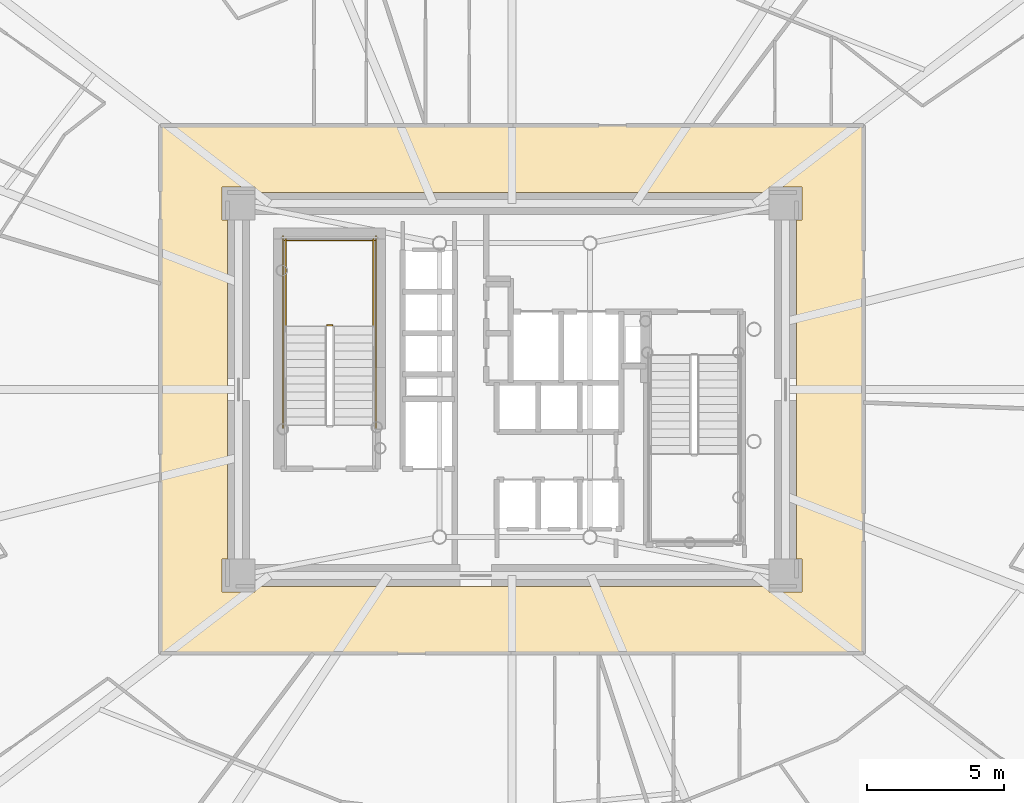
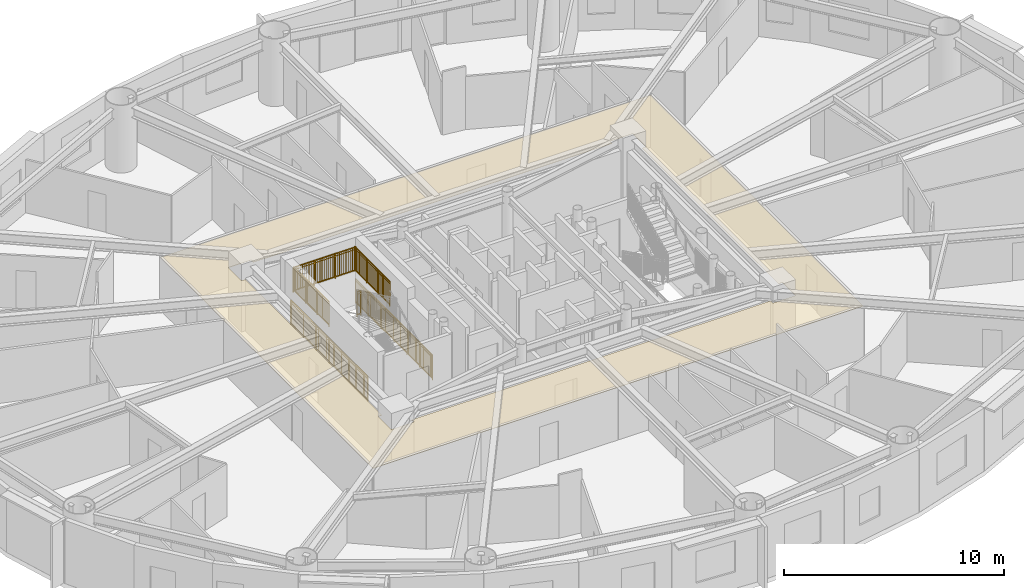
# One storey, part 13 of 16: 6 railings, 1 covering.
"""IFC4 building model written with IfcOpenShell, lengths in metres."""

from ifc_helpers import new_model, si_unit, direction, frame, origin, origin_2d, place, context, subcontext, project, spatial, polyline, rectangle, outline, extrude, source, transform, mapped, material, layer, layer_set, type_object, element, save


model = new_model("IFC4")

# Units and contexts
model_context = context("Model", 3, precision=1e-05, world=origin(), true_north=direction((0.0, 1.0)))
body_context = subcontext(model_context, "Body", "Model", "MODEL_VIEW")
ifc_project = project(units=[si_unit("LENGTHUNIT", "METRE"), si_unit("AREAUNIT", "SQUARE_METRE"), si_unit("VOLUMEUNIT", "CUBIC_METRE"), si_unit("PLANEANGLEUNIT", "RADIAN"), si_unit("MASSUNIT", "GRAM", prefix="KILO")], contexts=[model_context])

# Site, building, storey
site_placement = place(None, origin())
site = spatial("IfcSite", under=ifc_project, at=site_placement, CompositionType="ELEMENT")
building_placement = place(site_placement, origin())
building = spatial("IfcBuilding", under=site, at=building_placement, Name="Linh Dai School and Residence Tower", CompositionType="ELEMENT")
storey_placement = place(building_placement, frame((0.0, 0.0, 108.449951171875)))
storey = spatial("IfcBuildingStorey", under=building, at=storey_placement, Name="L25", CompositionType="ELEMENT", Elevation=108.449951171875)

# Covering
ifc_material_1 = material(Name="Mineral Fibre Acoustic Suspended Ceiling", Category="masonry")
ifc_layer = layer(ifc_material_1, 0.02001953125)
ifc_layer_set = layer_set([ifc_layer], Name="Mineral Fibre Acoustic Suspended Ceiling")
covering_type = type_object("IfcCoveringType", Name="COV-CEIL-AC-20", PredefinedType="CEILING", material=ifc_layer_set)
covering_placement = place(storey_placement, frame((0.0, 0.0, 2.85009765625)))
element("IfcCovering", 1, at=covering_placement, inside=storey, type_object=covering_type, Name="L25 Residential Floor Corridor Suspended Ceiling", PredefinedType="CEILING", context=body_context, shape_type="SweptSolid", body=[
    extrude(outline(polyline([(48.85009765625, 36.64990234375), (48.85009765625, 17.35009765625), (23.14990234375, 17.35009765625), (23.14990234375, 36.64990234375), (48.85009765625, 36.64990234375)]), holes=[polyline([(26.60009765625, 34.199951171875), (26.60009765625, 34.39990234375), (25.39990234375, 34.39990234375), (25.39990234375, 33.199951171875), (25.60009765625, 33.199951171875), (25.60009765625, 20.800048828125), (25.39990234375, 20.800048828125), (25.39990234375, 19.60009765625), (26.60009765625, 19.60009765625), (26.60009765625, 19.800048828125), (45.39990234375, 19.800048828125), (45.39990234375, 19.60009765625), (46.60009765625, 19.60009765625), (46.60009765625, 20.800048828125), (46.39990234375, 20.800048828125), (46.39990234375, 33.199951171875), (46.60009765625, 33.199951171875), (46.60009765625, 34.39990234375), (45.39990234375, 34.39990234375), (45.39990234375, 34.199951171875), (26.60009765625, 34.199951171875)])]), origin(), (0.0, 0.0, 1.0), 0.02001953125),
])

# Railings
ifc_material_2 = material(Name="Structural Steel S355JR", Category="steel")
railing_type = type_object("IfcRailingType", Name="RL-ST-GUARD-1400", PredefinedType="GUARDRAIL", material=ifc_material_2)
shared_shape_1 = source(origin(), body_context, "Body", "SweptSolid", [
    extrude(rectangle(XDim=0.048095703125, YDim=0.048095703125, at=origin_2d()), frame((0.0, 0.0, 1.3759765625), z_axis=(-1.0, 0.0, 0.0), x_axis=(0.0, -1.0, 0.0)), (0.0, 0.0, 1.0), 0.199951171875),
    extrude(rectangle(XDim=0.048095703125, YDim=0.048095703125, at=origin_2d()), frame((0.0, 0.0, 0.10009765625), z_axis=(-1.0, 0.0, 0.0), x_axis=(0.0, -1.0, 0.0)), (0.0, 0.0, 1.0), 0.199951171875),
    extrude(rectangle(XDim=0.030029296875, YDim=0.030029296875, at=origin_2d()), frame((0.0, 0.0, 1.239990234375), z_axis=(-1.0, 0.0, 0.0), x_axis=(0.0, -1.0, 0.0)), (0.0, 0.0, 1.0), 0.199951171875),
    extrude(rectangle(XDim=0.0419921875, YDim=0.0419921875, at=origin_2d()), origin(), (0.0, 0.0, 1.0), 1.3759765625),
    extrude(rectangle(XDim=0.0419921875, YDim=0.0419921875, at=origin_2d()), frame((-0.199951171875, 0.0, 0.0)), (0.0, 0.0, 1.0), 1.3759765625),
])
railing_1_placement = place(storey_placement, frame((29.429931640625, 29.35009765625, 1.875)))
element("IfcRailing", 2, at=railing_1_placement, inside=storey, type_object=railing_type, Name="L25 ST1 stair guard 2", PredefinedType="GUARDRAIL", context=body_context, shape_type="MappedRepresentation", body=[
    mapped(shared_shape_1, transform((0.0, 0.0, 0.0), x_axis=(1.0, 0.0, 0.0), y_axis=(0.0, 1.0, 0.0), z_axis=(0.0, 0.0, 1.0), scale=1.0)),
])
shared_shape_2 = source(origin(), body_context, "Body", "SweptSolid", [
    extrude(rectangle(XDim=0.048095703125, YDim=0.048095703125, at=origin_2d()), frame((0.0, 0.0, 1.3759765625), z_axis=(-1.0, 0.0, 0.0), x_axis=(0.0, -1.0, 0.0)), (0.0, 0.0, 1.0), 3.300048828125),
    extrude(rectangle(XDim=0.048095703125, YDim=0.048095703125, at=origin_2d()), frame((0.0, 0.0, 0.10009765625), z_axis=(-1.0, 0.0, 0.0), x_axis=(0.0, -1.0, 0.0)), (0.0, 0.0, 1.0), 3.300048828125),
    extrude(rectangle(XDim=0.030029296875, YDim=0.030029296875, at=origin_2d()), frame((0.0, 0.0, 1.239990234375), z_axis=(-1.0, 0.0, 0.0), x_axis=(0.0, -1.0, 0.0)), (0.0, 0.0, 1.0), 3.300048828125),
    extrude(rectangle(XDim=0.02001953125, YDim=0.02001953125, at=origin_2d()), frame((-0.09716796875, 0.0, 0.10009765625)), (0.0, 0.0, 1.0), 1.251708984375),
    extrude(rectangle(XDim=0.02001953125, YDim=0.02001953125, at=origin_2d()), frame((-0.194091796875, 0.0, 0.10009765625)), (0.0, 0.0, 1.0), 1.251708984375),
    extrude(rectangle(XDim=0.02001953125, YDim=0.02001953125, at=origin_2d()), frame((-0.291259765625, 0.0, 0.10009765625)), (0.0, 0.0, 1.0), 1.251708984375),
    extrude(rectangle(XDim=0.02001953125, YDim=0.02001953125, at=origin_2d()), frame((-0.38818359375, 0.0, 0.10009765625)), (0.0, 0.0, 1.0), 1.251708984375),
    extrude(rectangle(XDim=0.02001953125, YDim=0.02001953125, at=origin_2d()), frame((-0.4853515625, 0.0, 0.10009765625)), (0.0, 0.0, 1.0), 1.251708984375),
    extrude(rectangle(XDim=0.02001953125, YDim=0.02001953125, at=origin_2d()), frame((-0.582275390625, 0.0, 0.10009765625)), (0.0, 0.0, 1.0), 1.251708984375),
    extrude(rectangle(XDim=0.02001953125, YDim=0.02001953125, at=origin_2d()), frame((-0.679443359375, 0.0, 0.10009765625)), (0.0, 0.0, 1.0), 1.251708984375),
    extrude(rectangle(XDim=0.02001953125, YDim=0.02001953125, at=origin_2d()), frame((-0.7763671875, 0.0, 0.10009765625)), (0.0, 0.0, 1.0), 1.251708984375),
    extrude(rectangle(XDim=0.02001953125, YDim=0.02001953125, at=origin_2d()), frame((-0.87353515625, 0.0, 0.10009765625)), (0.0, 0.0, 1.0), 1.251708984375),
    extrude(rectangle(XDim=0.02001953125, YDim=0.02001953125, at=origin_2d()), frame((-0.970703125, 0.0, 0.10009765625)), (0.0, 0.0, 1.0), 1.251708984375),
    extrude(rectangle(XDim=0.02001953125, YDim=0.02001953125, at=origin_2d()), frame((-1.164794921875, 0.0, 0.10009765625)), (0.0, 0.0, 1.0), 1.251708984375),
    extrude(rectangle(XDim=0.02001953125, YDim=0.02001953125, at=origin_2d()), frame((-1.26171875, 0.0, 0.10009765625)), (0.0, 0.0, 1.0), 1.251708984375),
    extrude(rectangle(XDim=0.02001953125, YDim=0.02001953125, at=origin_2d()), frame((-1.35888671875, 0.0, 0.10009765625)), (0.0, 0.0, 1.0), 1.251708984375),
    extrude(rectangle(XDim=0.02001953125, YDim=0.02001953125, at=origin_2d()), frame((-1.455810546875, 0.0, 0.10009765625)), (0.0, 0.0, 1.0), 1.251708984375),
    extrude(rectangle(XDim=0.02001953125, YDim=0.02001953125, at=origin_2d()), frame((-1.552978515625, 0.0, 0.10009765625)), (0.0, 0.0, 1.0), 1.251708984375),
    extrude(rectangle(XDim=0.02001953125, YDim=0.02001953125, at=origin_2d()), frame((-1.64990234375, 0.0, 0.10009765625)), (0.0, 0.0, 1.0), 1.251708984375),
    extrude(rectangle(XDim=0.02001953125, YDim=0.02001953125, at=origin_2d()), frame((-1.7470703125, 0.0, 0.10009765625)), (0.0, 0.0, 1.0), 1.251708984375),
    extrude(rectangle(XDim=0.02001953125, YDim=0.02001953125, at=origin_2d()), frame((-1.84423828125, 0.0, 0.10009765625)), (0.0, 0.0, 1.0), 1.251708984375),
    extrude(rectangle(XDim=0.02001953125, YDim=0.02001953125, at=origin_2d()), frame((-1.941162109375, 0.0, 0.10009765625)), (0.0, 0.0, 1.0), 1.251708984375),
    extrude(rectangle(XDim=0.02001953125, YDim=0.02001953125, at=origin_2d()), frame((-2.038330078125, 0.0, 0.10009765625)), (0.0, 0.0, 1.0), 1.251708984375),
    extrude(rectangle(XDim=0.02001953125, YDim=0.02001953125, at=origin_2d()), frame((-2.13525390625, 0.0, 0.10009765625)), (0.0, 0.0, 1.0), 1.251708984375),
    extrude(rectangle(XDim=0.02001953125, YDim=0.02001953125, at=origin_2d()), frame((-2.329345703125, 0.0, 0.10009765625)), (0.0, 0.0, 1.0), 1.251708984375),
    extrude(rectangle(XDim=0.02001953125, YDim=0.02001953125, at=origin_2d()), frame((-2.426513671875, 0.0, 0.10009765625)), (0.0, 0.0, 1.0), 1.251708984375),
    extrude(rectangle(XDim=0.02001953125, YDim=0.02001953125, at=origin_2d()), frame((-2.523681640625, 0.0, 0.10009765625)), (0.0, 0.0, 1.0), 1.251708984375),
    extrude(rectangle(XDim=0.02001953125, YDim=0.02001953125, at=origin_2d()), frame((-2.62060546875, 0.0, 0.10009765625)), (0.0, 0.0, 1.0), 1.251708984375),
    extrude(rectangle(XDim=0.02001953125, YDim=0.02001953125, at=origin_2d()), frame((-2.7177734375, 0.0, 0.10009765625)), (0.0, 0.0, 1.0), 1.251708984375),
    extrude(rectangle(XDim=0.02001953125, YDim=0.02001953125, at=origin_2d()), frame((-2.814697265625, 0.0, 0.10009765625)), (0.0, 0.0, 1.0), 1.251708984375),
    extrude(rectangle(XDim=0.02001953125, YDim=0.02001953125, at=origin_2d()), frame((-2.911865234375, 0.0, 0.10009765625)), (0.0, 0.0, 1.0), 1.251708984375),
    extrude(rectangle(XDim=0.02001953125, YDim=0.02001953125, at=origin_2d()), frame((-3.0087890625, 0.0, 0.10009765625)), (0.0, 0.0, 1.0), 1.251708984375),
    extrude(rectangle(XDim=0.02001953125, YDim=0.02001953125, at=origin_2d()), frame((-3.10595703125, 0.0, 0.10009765625)), (0.0, 0.0, 1.0), 1.251708984375),
    extrude(rectangle(XDim=0.02001953125, YDim=0.02001953125, at=origin_2d()), frame((-3.202880859375, 0.0, 0.10009765625)), (0.0, 0.0, 1.0), 1.251708984375),
    extrude(rectangle(XDim=0.0419921875, YDim=0.0419921875, at=origin_2d()), origin(), (0.0, 0.0, 1.0), 1.3759765625),
    extrude(rectangle(XDim=0.0419921875, YDim=0.0419921875, at=origin_2d()), frame((-1.10009765625, 0.0, 0.0)), (0.0, 0.0, 1.0), 1.3759765625),
    extrude(rectangle(XDim=0.0419921875, YDim=0.0419921875, at=origin_2d()), frame((-2.199951171875, 0.0, 0.0)), (0.0, 0.0, 1.0), 1.3759765625),
    extrude(rectangle(XDim=0.0419921875, YDim=0.0419921875, at=origin_2d()), frame((-3.300048828125, 0.0, 0.0)), (0.0, 0.0, 1.0), 1.3759765625),
])
railing_2_placement = place(storey_placement, frame((30.97998046875, 32.449951171875, 1.875)))
element("IfcRailing", 3, at=railing_2_placement, inside=storey, type_object=railing_type, Name="L25 ST1 stair guard 5", PredefinedType="GUARDRAIL", context=body_context, shape_type="MappedRepresentation", body=[
    mapped(shared_shape_2, transform((0.0, 0.0, 0.0), x_axis=(1.0, 0.0, 0.0), y_axis=(0.0, 1.0, 0.0), z_axis=(0.0, 0.0, 1.0), scale=1.0)),
])
shared_shape_3 = source(origin(), body_context, "Body", "SweptSolid", [
    extrude(rectangle(XDim=0.048095703125, YDim=0.048095703125, at=origin_2d()), frame((0.0, 0.0, 1.3759765625), z_axis=(0.0, 1.0, 0.0), x_axis=(-1.0, 0.0, 0.0)), (0.0, 0.0, 1.0), 7.0),
    extrude(rectangle(XDim=0.048095703125, YDim=0.048095703125, at=origin_2d()), frame((0.0, 0.0, 0.10009765625), z_axis=(0.0, 1.0, 0.0), x_axis=(-1.0, 0.0, 0.0)), (0.0, 0.0, 1.0), 7.0),
    extrude(rectangle(XDim=0.030029296875, YDim=0.030029296875, at=origin_2d()), frame((0.0, 0.0, 1.239990234375), z_axis=(0.0, 1.0, 0.0), x_axis=(-1.0, 0.0, 0.0)), (0.0, 0.0, 1.0), 7.0),
    extrude(rectangle(XDim=0.02001953125, YDim=0.02001953125, at=origin_2d()), frame((0.0, 0.09716796875, 0.10009765625)), (0.0, 0.0, 1.0), 1.251708984375),
    extrude(rectangle(XDim=0.02001953125, YDim=0.02001953125, at=origin_2d()), frame((0.0, 0.1943359375, 0.10009765625)), (0.0, 0.0, 1.0), 1.251708984375),
    extrude(rectangle(XDim=0.02001953125, YDim=0.02001953125, at=origin_2d()), frame((0.0, 0.291748046875, 0.10009765625)), (0.0, 0.0, 1.0), 1.251708984375),
    extrude(rectangle(XDim=0.02001953125, YDim=0.02001953125, at=origin_2d()), frame((0.0, 0.388916015625, 0.10009765625)), (0.0, 0.0, 1.0), 1.251708984375),
    extrude(rectangle(XDim=0.02001953125, YDim=0.02001953125, at=origin_2d()), frame((0.0, 0.486083984375, 0.10009765625)), (0.0, 0.0, 1.0), 1.251708984375),
    extrude(rectangle(XDim=0.02001953125, YDim=0.02001953125, at=origin_2d()), frame((0.0, 0.583251953125, 0.10009765625)), (0.0, 0.0, 1.0), 1.251708984375),
    extrude(rectangle(XDim=0.02001953125, YDim=0.02001953125, at=origin_2d()), frame((0.0, 0.6806640625, 0.10009765625)), (0.0, 0.0, 1.0), 1.251708984375),
    extrude(rectangle(XDim=0.02001953125, YDim=0.02001953125, at=origin_2d()), frame((0.0, 0.77783203125, 0.10009765625)), (0.0, 0.0, 1.0), 1.251708984375),
    extrude(rectangle(XDim=0.02001953125, YDim=0.02001953125, at=origin_2d()), frame((0.0, 0.875, 0.10009765625)), (0.0, 0.0, 1.0), 1.251708984375),
    extrude(rectangle(XDim=0.02001953125, YDim=0.02001953125, at=origin_2d()), frame((0.0, 0.97216796875, 0.10009765625)), (0.0, 0.0, 1.0), 1.251708984375),
    extrude(rectangle(XDim=0.02001953125, YDim=0.02001953125, at=origin_2d()), frame((0.0, 1.0693359375, 0.10009765625)), (0.0, 0.0, 1.0), 1.251708984375),
    extrude(rectangle(XDim=0.02001953125, YDim=0.02001953125, at=origin_2d()), frame((0.0, 1.263916015625, 0.10009765625)), (0.0, 0.0, 1.0), 1.251708984375),
    extrude(rectangle(XDim=0.02001953125, YDim=0.02001953125, at=origin_2d()), frame((0.0, 1.361083984375, 0.10009765625)), (0.0, 0.0, 1.0), 1.251708984375),
    extrude(rectangle(XDim=0.02001953125, YDim=0.02001953125, at=origin_2d()), frame((0.0, 1.458251953125, 0.10009765625)), (0.0, 0.0, 1.0), 1.251708984375),
    extrude(rectangle(XDim=0.02001953125, YDim=0.02001953125, at=origin_2d()), frame((0.0, 1.5556640625, 0.10009765625)), (0.0, 0.0, 1.0), 1.251708984375),
    extrude(rectangle(XDim=0.02001953125, YDim=0.02001953125, at=origin_2d()), frame((0.0, 1.65283203125, 0.10009765625)), (0.0, 0.0, 1.0), 1.251708984375),
    extrude(rectangle(XDim=0.02001953125, YDim=0.02001953125, at=origin_2d()), frame((0.0, 1.75, 0.10009765625)), (0.0, 0.0, 1.0), 1.251708984375),
    extrude(rectangle(XDim=0.02001953125, YDim=0.02001953125, at=origin_2d()), frame((0.0, 1.84716796875, 0.10009765625)), (0.0, 0.0, 1.0), 1.251708984375),
    extrude(rectangle(XDim=0.02001953125, YDim=0.02001953125, at=origin_2d()), frame((0.0, 1.9443359375, 0.10009765625)), (0.0, 0.0, 1.0), 1.251708984375),
    extrude(rectangle(XDim=0.02001953125, YDim=0.02001953125, at=origin_2d()), frame((0.0, 2.041748046875, 0.10009765625)), (0.0, 0.0, 1.0), 1.251708984375),
    extrude(rectangle(XDim=0.02001953125, YDim=0.02001953125, at=origin_2d()), frame((0.0, 2.138916015625, 0.10009765625)), (0.0, 0.0, 1.0), 1.251708984375),
    extrude(rectangle(XDim=0.02001953125, YDim=0.02001953125, at=origin_2d()), frame((0.0, 2.236083984375, 0.10009765625)), (0.0, 0.0, 1.0), 1.251708984375),
    extrude(rectangle(XDim=0.02001953125, YDim=0.02001953125, at=origin_2d()), frame((0.0, 2.4306640625, 0.10009765625)), (0.0, 0.0, 1.0), 1.251708984375),
    extrude(rectangle(XDim=0.02001953125, YDim=0.02001953125, at=origin_2d()), frame((0.0, 2.52783203125, 0.10009765625)), (0.0, 0.0, 1.0), 1.251708984375),
    extrude(rectangle(XDim=0.02001953125, YDim=0.02001953125, at=origin_2d()), frame((0.0, 2.625, 0.10009765625)), (0.0, 0.0, 1.0), 1.251708984375),
    extrude(rectangle(XDim=0.02001953125, YDim=0.02001953125, at=origin_2d()), frame((0.0, 2.72216796875, 0.10009765625)), (0.0, 0.0, 1.0), 1.251708984375),
    extrude(rectangle(XDim=0.02001953125, YDim=0.02001953125, at=origin_2d()), frame((0.0, 2.8193359375, 0.10009765625)), (0.0, 0.0, 1.0), 1.251708984375),
    extrude(rectangle(XDim=0.02001953125, YDim=0.02001953125, at=origin_2d()), frame((0.0, 2.916748046875, 0.10009765625)), (0.0, 0.0, 1.0), 1.251708984375),
    extrude(rectangle(XDim=0.02001953125, YDim=0.02001953125, at=origin_2d()), frame((0.0, 3.013916015625, 0.10009765625)), (0.0, 0.0, 1.0), 1.251708984375),
    extrude(rectangle(XDim=0.02001953125, YDim=0.02001953125, at=origin_2d()), frame((0.0, 3.111083984375, 0.10009765625)), (0.0, 0.0, 1.0), 1.251708984375),
    extrude(rectangle(XDim=0.02001953125, YDim=0.02001953125, at=origin_2d()), frame((0.0, 3.208251953125, 0.10009765625)), (0.0, 0.0, 1.0), 1.251708984375),
    extrude(rectangle(XDim=0.02001953125, YDim=0.02001953125, at=origin_2d()), frame((0.0, 3.3056640625, 0.10009765625)), (0.0, 0.0, 1.0), 1.251708984375),
    extrude(rectangle(XDim=0.02001953125, YDim=0.02001953125, at=origin_2d()), frame((0.0, 3.40283203125, 0.10009765625)), (0.0, 0.0, 1.0), 1.251708984375),
    extrude(rectangle(XDim=0.02001953125, YDim=0.02001953125, at=origin_2d()), frame((0.0, 3.59716796875, 0.10009765625)), (0.0, 0.0, 1.0), 1.251708984375),
    extrude(rectangle(XDim=0.02001953125, YDim=0.02001953125, at=origin_2d()), frame((0.0, 3.6943359375, 0.10009765625)), (0.0, 0.0, 1.0), 1.251708984375),
    extrude(rectangle(XDim=0.02001953125, YDim=0.02001953125, at=origin_2d()), frame((0.0, 3.791748046875, 0.10009765625)), (0.0, 0.0, 1.0), 1.251708984375),
    extrude(rectangle(XDim=0.02001953125, YDim=0.02001953125, at=origin_2d()), frame((0.0, 3.888916015625, 0.10009765625)), (0.0, 0.0, 1.0), 1.251708984375),
    extrude(rectangle(XDim=0.02001953125, YDim=0.02001953125, at=origin_2d()), frame((0.0, 3.986083984375, 0.10009765625)), (0.0, 0.0, 1.0), 1.251708984375),
    extrude(rectangle(XDim=0.02001953125, YDim=0.02001953125, at=origin_2d()), frame((0.0, 4.083251953125, 0.10009765625)), (0.0, 0.0, 1.0), 1.251708984375),
    extrude(rectangle(XDim=0.02001953125, YDim=0.02001953125, at=origin_2d()), frame((0.0, 4.1806640625, 0.10009765625)), (0.0, 0.0, 1.0), 1.251708984375),
    extrude(rectangle(XDim=0.02001953125, YDim=0.02001953125, at=origin_2d()), frame((0.0, 4.27783203125, 0.10009765625)), (0.0, 0.0, 1.0), 1.251708984375),
    extrude(rectangle(XDim=0.02001953125, YDim=0.02001953125, at=origin_2d()), frame((0.0, 4.375, 0.10009765625)), (0.0, 0.0, 1.0), 1.251708984375),
    extrude(rectangle(XDim=0.02001953125, YDim=0.02001953125, at=origin_2d()), frame((0.0, 4.47216796875, 0.10009765625)), (0.0, 0.0, 1.0), 1.251708984375),
    extrude(rectangle(XDim=0.02001953125, YDim=0.02001953125, at=origin_2d()), frame((0.0, 4.5693359375, 0.10009765625)), (0.0, 0.0, 1.0), 1.251708984375),
    extrude(rectangle(XDim=0.02001953125, YDim=0.02001953125, at=origin_2d()), frame((0.0, 4.763916015625, 0.10009765625)), (0.0, 0.0, 1.0), 1.251708984375),
    extrude(rectangle(XDim=0.02001953125, YDim=0.02001953125, at=origin_2d()), frame((0.0, 4.861083984375, 0.10009765625)), (0.0, 0.0, 1.0), 1.251708984375),
    extrude(rectangle(XDim=0.02001953125, YDim=0.02001953125, at=origin_2d()), frame((0.0, 4.958251953125, 0.10009765625)), (0.0, 0.0, 1.0), 1.251708984375),
    extrude(rectangle(XDim=0.02001953125, YDim=0.02001953125, at=origin_2d()), frame((0.0, 5.0556640625, 0.10009765625)), (0.0, 0.0, 1.0), 1.251708984375),
    extrude(rectangle(XDim=0.02001953125, YDim=0.02001953125, at=origin_2d()), frame((0.0, 5.15283203125, 0.10009765625)), (0.0, 0.0, 1.0), 1.251708984375),
    extrude(rectangle(XDim=0.02001953125, YDim=0.02001953125, at=origin_2d()), frame((0.0, 5.25, 0.10009765625)), (0.0, 0.0, 1.0), 1.251708984375),
    extrude(rectangle(XDim=0.02001953125, YDim=0.02001953125, at=origin_2d()), frame((0.0, 5.34716796875, 0.10009765625)), (0.0, 0.0, 1.0), 1.251708984375),
    extrude(rectangle(XDim=0.02001953125, YDim=0.02001953125, at=origin_2d()), frame((0.0, 5.4443359375, 0.10009765625)), (0.0, 0.0, 1.0), 1.251708984375),
    extrude(rectangle(XDim=0.02001953125, YDim=0.02001953125, at=origin_2d()), frame((0.0, 5.541748046875, 0.10009765625)), (0.0, 0.0, 1.0), 1.251708984375),
    extrude(rectangle(XDim=0.02001953125, YDim=0.02001953125, at=origin_2d()), frame((0.0, 5.638916015625, 0.10009765625)), (0.0, 0.0, 1.0), 1.251708984375),
    extrude(rectangle(XDim=0.02001953125, YDim=0.02001953125, at=origin_2d()), frame((0.0, 5.736083984375, 0.10009765625)), (0.0, 0.0, 1.0), 1.251708984375),
    extrude(rectangle(XDim=0.02001953125, YDim=0.02001953125, at=origin_2d()), frame((0.0, 5.9306640625, 0.10009765625)), (0.0, 0.0, 1.0), 1.251708984375),
    extrude(rectangle(XDim=0.02001953125, YDim=0.02001953125, at=origin_2d()), frame((0.0, 6.02783203125, 0.10009765625)), (0.0, 0.0, 1.0), 1.251708984375),
    extrude(rectangle(XDim=0.02001953125, YDim=0.02001953125, at=origin_2d()), frame((0.0, 6.125, 0.10009765625)), (0.0, 0.0, 1.0), 1.251708984375),
    extrude(rectangle(XDim=0.02001953125, YDim=0.02001953125, at=origin_2d()), frame((0.0, 6.22216796875, 0.10009765625)), (0.0, 0.0, 1.0), 1.251708984375),
    extrude(rectangle(XDim=0.02001953125, YDim=0.02001953125, at=origin_2d()), frame((0.0, 6.3193359375, 0.10009765625)), (0.0, 0.0, 1.0), 1.251708984375),
    extrude(rectangle(XDim=0.02001953125, YDim=0.02001953125, at=origin_2d()), frame((0.0, 6.416748046875, 0.10009765625)), (0.0, 0.0, 1.0), 1.251708984375),
    extrude(rectangle(XDim=0.02001953125, YDim=0.02001953125, at=origin_2d()), frame((0.0, 6.513916015625, 0.10009765625)), (0.0, 0.0, 1.0), 1.251708984375),
    extrude(rectangle(XDim=0.02001953125, YDim=0.02001953125, at=origin_2d()), frame((0.0, 6.611083984375, 0.10009765625)), (0.0, 0.0, 1.0), 1.251708984375),
    extrude(rectangle(XDim=0.02001953125, YDim=0.02001953125, at=origin_2d()), frame((0.0, 6.708251953125, 0.10009765625)), (0.0, 0.0, 1.0), 1.251708984375),
    extrude(rectangle(XDim=0.02001953125, YDim=0.02001953125, at=origin_2d()), frame((0.0, 6.8056640625, 0.10009765625)), (0.0, 0.0, 1.0), 1.251708984375),
    extrude(rectangle(XDim=0.02001953125, YDim=0.02001953125, at=origin_2d()), frame((0.0, 6.90283203125, 0.10009765625)), (0.0, 0.0, 1.0), 1.251708984375),
    extrude(rectangle(XDim=0.0419921875, YDim=0.0419921875, at=origin_2d()), origin(), (0.0, 0.0, 1.0), 1.3759765625),
    extrude(rectangle(XDim=0.0419921875, YDim=0.0419921875, at=origin_2d()), frame((0.0, 1.166748046875, 0.0)), (0.0, 0.0, 1.0), 1.3759765625),
    extrude(rectangle(XDim=0.0419921875, YDim=0.0419921875, at=origin_2d()), frame((0.0, 2.333251953125, 0.0)), (0.0, 0.0, 1.0), 1.3759765625),
    extrude(rectangle(XDim=0.0419921875, YDim=0.0419921875, at=origin_2d()), frame((0.0, 3.5, 0.0)), (0.0, 0.0, 1.0), 1.3759765625),
    extrude(rectangle(XDim=0.0419921875, YDim=0.0419921875, at=origin_2d()), frame((0.0, 4.666748046875, 0.0)), (0.0, 0.0, 1.0), 1.3759765625),
    extrude(rectangle(XDim=0.0419921875, YDim=0.0419921875, at=origin_2d()), frame((0.0, 5.833251953125, 0.0)), (0.0, 0.0, 1.0), 1.3759765625),
    extrude(rectangle(XDim=0.0419921875, YDim=0.0419921875, at=origin_2d()), frame((0.0, 7.0, 0.0)), (0.0, 0.0, 1.0), 1.3759765625),
])
for number, where, name in (
    (4, (31.030029296875, 25.60009765625, 0.0), "L25 ST1 stair guard 10"),
    (5, (27.6298828125, 25.60009765625, 0.0), "L25 ST1 stair guard 11"),
):
    element("IfcRailing", number, at=place(storey_placement, frame(where)), inside=storey, type_object=railing_type, Name=name, PredefinedType="GUARDRAIL", context=body_context, shape_type="MappedRepresentation", body=[
        mapped(shared_shape_3, transform((0.0, 0.0, 0.0), x_axis=(1.0, 0.0, 0.0), y_axis=(0.0, 1.0, 0.0), z_axis=(0.0, 0.0, 1.0), scale=1.0)),
    ])
shared_shape_4 = source(origin(), body_context, "Body", "SweptSolid", [
    extrude(rectangle(XDim=0.048095703125, YDim=0.048095703125, at=origin_2d()), frame((0.0, 0.0, 1.3759765625), z_axis=(0.0, 1.0, 0.0), x_axis=(-1.0, 0.0, 0.0)), (0.0, 0.0, 1.0), 3.199951171875),
    extrude(rectangle(XDim=0.048095703125, YDim=0.048095703125, at=origin_2d()), frame((0.0, 0.0, 0.10009765625), z_axis=(0.0, 1.0, 0.0), x_axis=(-1.0, 0.0, 0.0)), (0.0, 0.0, 1.0), 3.199951171875),
    extrude(rectangle(XDim=0.030029296875, YDim=0.030029296875, at=origin_2d()), frame((0.0, 0.0, 1.239990234375), z_axis=(0.0, 1.0, 0.0), x_axis=(-1.0, 0.0, 0.0)), (0.0, 0.0, 1.0), 3.199951171875),
    extrude(rectangle(XDim=0.02001953125, YDim=0.02001953125, at=origin_2d()), frame((0.0, 0.096923828125, 0.10009765625)), (0.0, 0.0, 1.0), 1.251708984375),
    extrude(rectangle(XDim=0.02001953125, YDim=0.02001953125, at=origin_2d()), frame((0.0, 0.19384765625, 0.10009765625)), (0.0, 0.0, 1.0), 1.251708984375),
    extrude(rectangle(XDim=0.02001953125, YDim=0.02001953125, at=origin_2d()), frame((0.0, 0.291015625, 0.10009765625)), (0.0, 0.0, 1.0), 1.251708984375),
    extrude(rectangle(XDim=0.02001953125, YDim=0.02001953125, at=origin_2d()), frame((0.0, 0.387939453125, 0.10009765625)), (0.0, 0.0, 1.0), 1.251708984375),
    extrude(rectangle(XDim=0.02001953125, YDim=0.02001953125, at=origin_2d()), frame((0.0, 0.48486328125, 0.10009765625)), (0.0, 0.0, 1.0), 1.251708984375),
    extrude(rectangle(XDim=0.02001953125, YDim=0.02001953125, at=origin_2d()), frame((0.0, 0.581787109375, 0.10009765625)), (0.0, 0.0, 1.0), 1.251708984375),
    extrude(rectangle(XDim=0.02001953125, YDim=0.02001953125, at=origin_2d()), frame((0.0, 0.6787109375, 0.10009765625)), (0.0, 0.0, 1.0), 1.251708984375),
    extrude(rectangle(XDim=0.02001953125, YDim=0.02001953125, at=origin_2d()), frame((0.0, 0.775634765625, 0.10009765625)), (0.0, 0.0, 1.0), 1.251708984375),
    extrude(rectangle(XDim=0.02001953125, YDim=0.02001953125, at=origin_2d()), frame((0.0, 0.872802734375, 0.10009765625)), (0.0, 0.0, 1.0), 1.251708984375),
    extrude(rectangle(XDim=0.02001953125, YDim=0.02001953125, at=origin_2d()), frame((0.0, 0.9697265625, 0.10009765625)), (0.0, 0.0, 1.0), 1.251708984375),
    extrude(rectangle(XDim=0.02001953125, YDim=0.02001953125, at=origin_2d()), frame((0.0, 1.16357421875, 0.10009765625)), (0.0, 0.0, 1.0), 1.251708984375),
    extrude(rectangle(XDim=0.02001953125, YDim=0.02001953125, at=origin_2d()), frame((0.0, 1.260498046875, 0.10009765625)), (0.0, 0.0, 1.0), 1.251708984375),
    extrude(rectangle(XDim=0.02001953125, YDim=0.02001953125, at=origin_2d()), frame((0.0, 1.357666015625, 0.10009765625)), (0.0, 0.0, 1.0), 1.251708984375),
    extrude(rectangle(XDim=0.02001953125, YDim=0.02001953125, at=origin_2d()), frame((0.0, 1.45458984375, 0.10009765625)), (0.0, 0.0, 1.0), 1.251708984375),
    extrude(rectangle(XDim=0.02001953125, YDim=0.02001953125, at=origin_2d()), frame((0.0, 1.551513671875, 0.10009765625)), (0.0, 0.0, 1.0), 1.251708984375),
    extrude(rectangle(XDim=0.02001953125, YDim=0.02001953125, at=origin_2d()), frame((0.0, 1.6484375, 0.10009765625)), (0.0, 0.0, 1.0), 1.251708984375),
    extrude(rectangle(XDim=0.02001953125, YDim=0.02001953125, at=origin_2d()), frame((0.0, 1.745361328125, 0.10009765625)), (0.0, 0.0, 1.0), 1.251708984375),
    extrude(rectangle(XDim=0.02001953125, YDim=0.02001953125, at=origin_2d()), frame((0.0, 1.84228515625, 0.10009765625)), (0.0, 0.0, 1.0), 1.251708984375),
    extrude(rectangle(XDim=0.02001953125, YDim=0.02001953125, at=origin_2d()), frame((0.0, 1.939453125, 0.10009765625)), (0.0, 0.0, 1.0), 1.251708984375),
    extrude(rectangle(XDim=0.02001953125, YDim=0.02001953125, at=origin_2d()), frame((0.0, 2.036376953125, 0.10009765625)), (0.0, 0.0, 1.0), 1.251708984375),
    extrude(rectangle(XDim=0.02001953125, YDim=0.02001953125, at=origin_2d()), frame((0.0, 2.230224609375, 0.10009765625)), (0.0, 0.0, 1.0), 1.251708984375),
    extrude(rectangle(XDim=0.02001953125, YDim=0.02001953125, at=origin_2d()), frame((0.0, 2.3271484375, 0.10009765625)), (0.0, 0.0, 1.0), 1.251708984375),
    extrude(rectangle(XDim=0.02001953125, YDim=0.02001953125, at=origin_2d()), frame((0.0, 2.42431640625, 0.10009765625)), (0.0, 0.0, 1.0), 1.251708984375),
    extrude(rectangle(XDim=0.02001953125, YDim=0.02001953125, at=origin_2d()), frame((0.0, 2.521240234375, 0.10009765625)), (0.0, 0.0, 1.0), 1.251708984375),
    extrude(rectangle(XDim=0.02001953125, YDim=0.02001953125, at=origin_2d()), frame((0.0, 2.6181640625, 0.10009765625)), (0.0, 0.0, 1.0), 1.251708984375),
    extrude(rectangle(XDim=0.02001953125, YDim=0.02001953125, at=origin_2d()), frame((0.0, 2.715087890625, 0.10009765625)), (0.0, 0.0, 1.0), 1.251708984375),
    extrude(rectangle(XDim=0.02001953125, YDim=0.02001953125, at=origin_2d()), frame((0.0, 2.81201171875, 0.10009765625)), (0.0, 0.0, 1.0), 1.251708984375),
    extrude(rectangle(XDim=0.02001953125, YDim=0.02001953125, at=origin_2d()), frame((0.0, 2.908935546875, 0.10009765625)), (0.0, 0.0, 1.0), 1.251708984375),
    extrude(rectangle(XDim=0.02001953125, YDim=0.02001953125, at=origin_2d()), frame((0.0, 3.006103515625, 0.10009765625)), (0.0, 0.0, 1.0), 1.251708984375),
    extrude(rectangle(XDim=0.02001953125, YDim=0.02001953125, at=origin_2d()), frame((0.0, 3.10302734375, 0.10009765625)), (0.0, 0.0, 1.0), 1.251708984375),
    extrude(rectangle(XDim=0.0419921875, YDim=0.0419921875, at=origin_2d()), origin(), (0.0, 0.0, 1.0), 1.3759765625),
    extrude(rectangle(XDim=0.0419921875, YDim=0.0419921875, at=origin_2d()), frame((0.0, 1.066650390625, 0.0)), (0.0, 0.0, 1.0), 1.3759765625),
    extrude(rectangle(XDim=0.0419921875, YDim=0.0419921875, at=origin_2d()), frame((0.0, 2.13330078125, 0.0)), (0.0, 0.0, 1.0), 1.3759765625),
    extrude(rectangle(XDim=0.0419921875, YDim=0.0419921875, at=origin_2d()), frame((0.0, 3.199951171875, 0.0)), (0.0, 0.0, 1.0), 1.3759765625),
])
for number, where, name in (
    (6, (30.929931640625, 29.300048828125, 1.875), "L25 ST1 stair guard 3"),
    (7, (27.72998046875, 29.300048828125, 1.875), "L25 ST1 stair guard 4"),
):
    element("IfcRailing", number, at=place(storey_placement, frame(where)), inside=storey, type_object=railing_type, Name=name, PredefinedType="GUARDRAIL", context=body_context, shape_type="MappedRepresentation", body=[
        mapped(shared_shape_4, transform((0.0, 0.0, 0.0), x_axis=(1.0, 0.0, 0.0), y_axis=(0.0, 1.0, 0.0), z_axis=(0.0, 0.0, 1.0), scale=1.0)),
    ])

save(model, "model.ifc")
